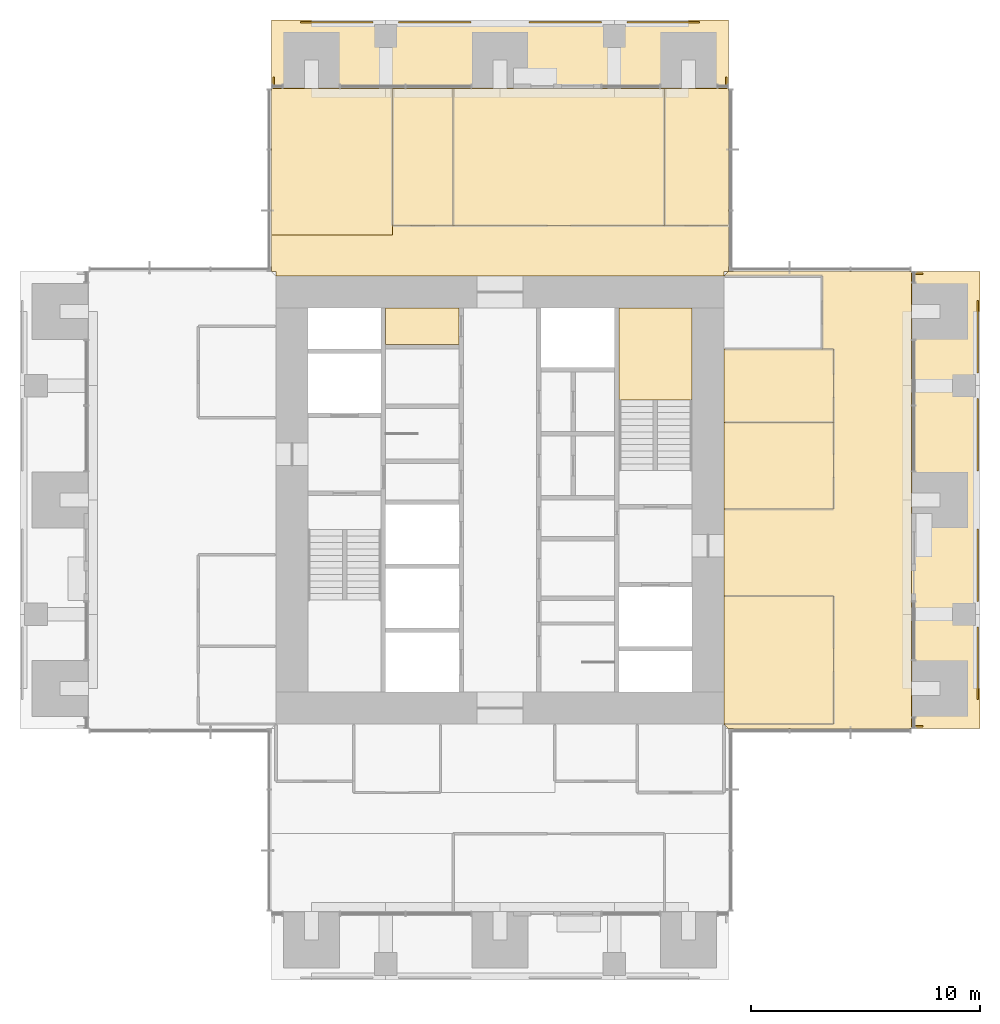
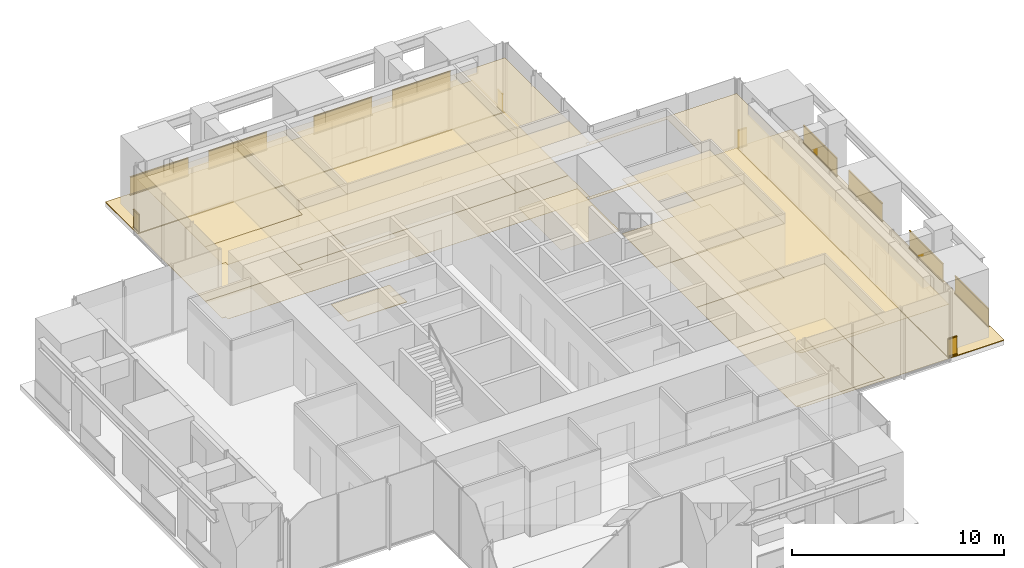
# One storey, part 16 of 17: 22 coverings, 12 railings.
"""IFC4 building model written with IfcOpenShell, lengths in metres."""

from ifc_helpers import new_model, si_unit, direction, frame, origin, origin_2d, place, context, subcontext, project, spatial, polyline, rectangle, outline, extrude, material, layer, layer_set, type_object, element, save


model = new_model("IFC4")

# Units and contexts
model_context = context("Model", 3, precision=1e-05, world=origin(), true_north=direction((0.0, 1.0)))
body_context = subcontext(model_context, "Body", "Model", "MODEL_VIEW")
ifc_project = project(units=[si_unit("LENGTHUNIT", "METRE"), si_unit("AREAUNIT", "SQUARE_METRE"), si_unit("VOLUMEUNIT", "CUBIC_METRE"), si_unit("PLANEANGLEUNIT", "RADIAN"), si_unit("MASSUNIT", "GRAM", prefix="KILO")], contexts=[model_context])

# Site, building, storey
site_placement = place(None, origin())
site = spatial("IfcSite", under=ifc_project, at=site_placement, CompositionType="ELEMENT")
building_placement = place(site_placement, origin())
building = spatial("IfcBuilding", under=site, at=building_placement, Name="Svetlomir Tower", CompositionType="ELEMENT")
storey_placement = place(building_placement, frame((0.0, 0.0, 194.5)))
storey = spatial("IfcBuildingStorey", under=building, at=storey_placement, Name="L46", CompositionType="ELEMENT", Elevation=194.5)

# Railings
ifc_material_1 = material(Name="Bronze anodised aluminium and laminated glass", Category="aluminium")
railing_type = type_object("IfcRailingType", Name="BALCONY GUARD GR1 1100", PredefinedType="GUARDRAIL", material=ifc_material_1)
for number, where, name in (
    (1, (41.89990234375, 12.27490234375, 0.0), "Loggia guard E L46 bay 1"),
    (2, (41.89990234375, 16.550048828125, 0.0), "Loggia guard E L46 bay 2"),
    (3, (41.89990234375, 22.27490234375, 0.0), "Loggia guard E L46 bay 3"),
    (4, (41.89990234375, 26.550048828125, 0.0), "Loggia guard E L46 bay 4"),
):
    element("IfcRailing", number, at=place(storey_placement, frame(where)), inside=storey, type_object=railing_type, Name=name, PredefinedType="GUARDRAIL", context=body_context, shape_type="SweptSolid", body=[
        extrude(rectangle(XDim=0.06005859375, YDim=0.10009765625, at=origin_2d()), frame((0.0, 0.0, 0.050048828125), z_axis=(0.0, 1.0, 0.0), x_axis=(-1.0, 0.0, 0.0)), (0.0, 0.0, 1.0), 3.175048828125),
        extrude(rectangle(XDim=0.021484375, YDim=0.960205078125, at=origin_2d()), frame((0.0, 0.0, 0.580078125), z_axis=(0.0, 1.0, 0.0), x_axis=(-1.0, 0.0, 0.0)), (0.0, 0.0, 1.0), 3.175048828125),
        extrude(rectangle(XDim=0.06005859375, YDim=0.0400390625, at=origin_2d()), frame((0.0, 0.0, 1.080078125), z_axis=(0.0, 1.0, 0.0), x_axis=(-1.0, 0.0, 0.0)), (0.0, 0.0, 1.0), 3.175048828125),
    ])
for number, where, name in (
    (5, (39.5, 11.10009765625, 0.0), "Loggia guard E L46 end 1"),
    (6, (39.5, 30.89990234375, 0.0), "Loggia guard E L46 end 2"),
):
    element("IfcRailing", number, at=place(storey_placement, frame(where)), inside=storey, type_object=railing_type, Name=name, PredefinedType="GUARDRAIL", context=body_context, shape_type="SweptSolid", body=[
        extrude(rectangle(XDim=0.06005859375, YDim=0.10009765625, at=origin_2d()), frame((0.0, 0.0, 0.050048828125), z_axis=(-1.0, 0.0, 0.0), x_axis=(0.0, -1.0, 0.0)), (0.0, 0.0, 1.0), 0.5),
        extrude(rectangle(XDim=0.021484375, YDim=0.960205078125, at=origin_2d()), frame((0.0, 0.0, 0.580078125), z_axis=(-1.0, 0.0, 0.0), x_axis=(0.0, -1.0, 0.0)), (0.0, 0.0, 1.0), 0.5),
        extrude(rectangle(XDim=0.06005859375, YDim=0.0400390625, at=origin_2d()), frame((0.0, 0.0, 1.080078125), z_axis=(-1.0, 0.0, 0.0), x_axis=(0.0, -1.0, 0.0)), (0.0, 0.0, 1.0), 0.5),
    ])
for number, where, name in (
    (7, (12.27490234375, 41.89990234375, 0.0), "Loggia guard N L46 bay 1"),
    (8, (16.550048828125, 41.89990234375, 0.0), "Loggia guard N L46 bay 2"),
    (9, (22.27490234375, 41.89990234375, 0.0), "Loggia guard N L46 bay 3"),
    (10, (26.550048828125, 41.89990234375, 0.0), "Loggia guard N L46 bay 4"),
):
    element("IfcRailing", number, at=place(storey_placement, frame(where)), inside=storey, type_object=railing_type, Name=name, PredefinedType="GUARDRAIL", context=body_context, shape_type="SweptSolid", body=[
        extrude(rectangle(XDim=0.06005859375, YDim=0.10009765625, at=origin_2d()), frame((0.0, 0.0, 0.050048828125), z_axis=(1.0, 0.0, 0.0), x_axis=(0.0, 1.0, 0.0)), (0.0, 0.0, 1.0), 3.175048828125),
        extrude(rectangle(XDim=0.021484375, YDim=0.960205078125, at=origin_2d()), frame((0.0, 0.0, 0.580078125), z_axis=(1.0, 0.0, 0.0), x_axis=(0.0, 1.0, 0.0)), (0.0, 0.0, 1.0), 3.175048828125),
        extrude(rectangle(XDim=0.06005859375, YDim=0.0400390625, at=origin_2d()), frame((0.0, 0.0, 1.080078125), z_axis=(1.0, 0.0, 0.0), x_axis=(0.0, 1.0, 0.0)), (0.0, 0.0, 1.0), 3.175048828125),
    ])
for number, where, name in (
    (11, (11.10009765625, 39.5, 0.0), "Loggia guard N L46 end 1"),
    (12, (30.89990234375, 39.5, 0.0), "Loggia guard N L46 end 2"),
):
    element("IfcRailing", number, at=place(storey_placement, frame(where)), inside=storey, type_object=railing_type, Name=name, PredefinedType="GUARDRAIL", context=body_context, shape_type="SweptSolid", body=[
        extrude(rectangle(XDim=0.06005859375, YDim=0.10009765625, at=origin_2d()), frame((0.0, 0.0, 0.050048828125), z_axis=(0.0, -1.0, 0.0), x_axis=(1.0, 0.0, 0.0)), (0.0, 0.0, 1.0), 0.5),
        extrude(rectangle(XDim=0.021484375, YDim=0.960205078125, at=origin_2d()), frame((0.0, 0.0, 0.580078125), z_axis=(0.0, -1.0, 0.0), x_axis=(1.0, 0.0, 0.0)), (0.0, 0.0, 1.0), 0.5),
        extrude(rectangle(XDim=0.06005859375, YDim=0.0400390625, at=origin_2d()), frame((0.0, 0.0, 1.080078125), z_axis=(0.0, -1.0, 0.0), x_axis=(1.0, 0.0, 0.0)), (0.0, 0.0, 1.0), 0.5),
    ])

# Coverings
ifc_material_2 = material(Name="Granite paving slabs on pedestals", Category="masonry")
ifc_layer_1 = layer(ifc_material_2, 0.0400390625)
ifc_layer_set_1 = layer_set([ifc_layer_1], Name="Granite paving slabs on pedestals")
covering_type_1 = type_object("IfcCoveringType", Name="BALCONY PAVING 40", PredefinedType="USERDEFINED", material=ifc_layer_set_1)
covering_1_placement = place(storey_placement, origin())
element("IfcCovering", 13, at=covering_1_placement, inside=storey, type_object=covering_type_1, Name="Loggia paving E L46", ObjectType="BALCONY PAVING", PredefinedType="USERDEFINED", context=body_context, shape_type="SweptSolid", body=[
    extrude(outline(polyline([(39.0, 11.0), (42.0, 11.0), (42.0, 31.0), (39.0, 31.0), (39.0, 11.0)])), origin(), (0.0, 0.0, 1.0), 0.0400390625),
])
covering_2_placement = place(storey_placement, origin())
element("IfcCovering", 14, at=covering_2_placement, inside=storey, type_object=covering_type_1, Name="Loggia paving N L46", ObjectType="BALCONY PAVING", PredefinedType="USERDEFINED", context=body_context, shape_type="SweptSolid", body=[
    extrude(outline(polyline([(11.0, 39.0), (31.0, 39.0), (31.0, 42.0), (11.0, 42.0), (11.0, 39.0)])), origin(), (0.0, 0.0, 1.0), 0.0400390625),
])
ifc_material_3 = material(Name="Carpet tile", Category="textile")
ifc_layer_2 = layer(ifc_material_3, 0.010009765625)
ifc_layer_set_2 = layer_set([ifc_layer_2], Name="Carpet tile")
covering_type_2 = type_object("IfcCoveringType", Name="CARPET TILE FLOOR 10", PredefinedType="FLOORING", material=ifc_layer_set_2)
covering_3_placement = place(storey_placement, origin())
element("IfcCovering", 15, at=covering_3_placement, inside=storey, type_object=covering_type_2, Name="Floor finish L46-23", PredefinedType="FLOORING", context=body_context, shape_type="SweptSolid", body=[
    extrude(outline(polyline([(30.800048828125, 11.199951171875), (35.60009765625, 11.199951171875), (35.60009765625, 16.800048828125), (30.800048828125, 16.800048828125), (30.800048828125, 11.199951171875)])), origin(), (0.0, 0.0, 1.0), 0.010009765625),
])
covering_4_placement = place(storey_placement, origin())
element("IfcCovering", 16, at=covering_4_placement, inside=storey, type_object=covering_type_2, Name="Floor finish L46-24", PredefinedType="FLOORING", context=body_context, shape_type="SweptSolid", body=[
    extrude(outline(polyline([(30.800048828125, 20.60009765625), (35.60009765625, 20.60009765625), (35.60009765625, 24.39990234375), (30.800048828125, 24.39990234375), (30.800048828125, 20.60009765625)])), origin(), (0.0, 0.0, 1.0), 0.010009765625),
])
covering_5_placement = place(storey_placement, origin())
element("IfcCovering", 17, at=covering_5_placement, inside=storey, type_object=covering_type_2, Name="Floor finish L46-25", PredefinedType="FLOORING", context=body_context, shape_type="SweptSolid", body=[
    extrude(outline(polyline([(30.800048828125, 24.39990234375), (35.60009765625, 24.39990234375), (35.60009765625, 27.60009765625), (30.800048828125, 27.60009765625), (30.800048828125, 24.39990234375)])), origin(), (0.0, 0.0, 1.0), 0.010009765625),
])
covering_6_placement = place(storey_placement, origin())
element("IfcCovering", 18, at=covering_6_placement, inside=storey, type_object=covering_type_2, Name="Floor finish L46-27", PredefinedType="FLOORING", context=body_context, shape_type="SweptSolid", body=[
    extrude(outline(polyline([(16.300048828125, 33.0), (18.949951171875, 33.0), (18.949951171875, 39.0), (16.300048828125, 39.0), (16.300048828125, 33.0)])), origin(), (0.0, 0.0, 1.0), 0.010009765625),
])
covering_7_placement = place(storey_placement, origin())
element("IfcCovering", 19, at=covering_7_placement, inside=storey, type_object=covering_type_2, Name="Floor finish L46-28", PredefinedType="FLOORING", context=body_context, shape_type="SweptSolid", body=[
    extrude(outline(polyline([(18.949951171875, 33.0), (28.199951171875, 33.0), (28.199951171875, 39.0), (18.949951171875, 39.0), (18.949951171875, 33.0)])), origin(), (0.0, 0.0, 1.0), 0.010009765625),
])
covering_8_placement = place(storey_placement, origin())
element("IfcCovering", 20, at=covering_8_placement, inside=storey, type_object=covering_type_2, Name="Floor finish L46-29", PredefinedType="FLOORING", context=body_context, shape_type="SweptSolid", body=[
    extrude(outline(polyline([(28.199951171875, 33.0), (31.0, 33.0), (31.0, 39.0), (28.199951171875, 39.0), (28.199951171875, 33.0)])), origin(), (0.0, 0.0, 1.0), 0.010009765625),
])
covering_9_placement = place(storey_placement, origin())
element("IfcCovering", 21, at=covering_9_placement, inside=storey, type_object=covering_type_2, Name="Floor finish L46-34", PredefinedType="FLOORING", context=body_context, shape_type="SweptSolid", body=[
    extrude(outline(polyline([(11.199951171875, 30.800048828125), (11.199951171875, 31.0), (11.0, 31.0), (11.0, 32.60009765625), (16.300048828125, 32.60009765625), (16.300048828125, 33.0), (31.0, 33.0), (31.0, 31.0), (30.800048828125, 31.0), (30.800048828125, 30.800048828125), (11.199951171875, 30.800048828125)])), origin(), (0.0, 0.0, 1.0), 0.010009765625),
])
covering_10_placement = place(storey_placement, origin())
element("IfcCovering", 22, at=covering_10_placement, inside=storey, type_object=covering_type_2, Name="Floor finish L46-38", PredefinedType="FLOORING", context=body_context, shape_type="SweptSolid", body=[
    extrude(outline(polyline([(30.800048828125, 30.800048828125), (31.0, 31.0), (39.0, 31.0), (39.0, 11.0), (31.0, 11.0), (30.800048828125, 11.199951171875), (35.60009765625, 11.199951171875), (35.60009765625, 16.800048828125), (30.800048828125, 16.800048828125), (30.800048828125, 20.60009765625), (35.60009765625, 20.60009765625), (35.60009765625, 27.60009765625), (35.10009765625, 27.60009765625), (35.10009765625, 30.800048828125), (30.800048828125, 30.800048828125)])), origin(), (0.0, 0.0, 1.0), 0.010009765625),
])
covering_11_placement = place(storey_placement, origin())
element("IfcCovering", 23, at=covering_11_placement, inside=storey, type_object=covering_type_2, Name="Floor finish L46-39", PredefinedType="FLOORING", context=body_context, shape_type="SweptSolid", body=[
    extrude(outline(polyline([(16.300048828125, 39.0), (16.300048828125, 32.60009765625), (11.0, 32.60009765625), (11.0, 39.0), (16.300048828125, 39.0)])), origin(), (0.0, 0.0, 1.0), 0.010009765625),
])
ifc_material_4 = material(Name="Studded rubber floor finish", Category="rubber")
ifc_layer_3 = layer(ifc_material_4, 0.006103515625)
ifc_layer_set_3 = layer_set([ifc_layer_3], Name="Studded rubber floor finish")
covering_type_3 = type_object("IfcCoveringType", Name="RUBBER LANDING FINISH 6", PredefinedType="FLOORING", material=ifc_layer_set_3)
covering_12_placement = place(storey_placement, frame((0.0, 0.0, 2.0)))
element("IfcCovering", 24, at=covering_12_placement, inside=storey, type_object=covering_type_3, Name="Stair S2 landing finish L46", PredefinedType="FLOORING", context=body_context, shape_type="SweptSolid", body=[
    extrude(outline(polyline([(26.199951171875, 25.3798828125), (29.39990234375, 25.3798828125), (29.39990234375, 29.39990234375), (26.199951171875, 29.39990234375), (26.199951171875, 25.3798828125)])), origin(), (0.0, 0.0, 1.0), 0.006103515625),
])
ifc_material_5 = material(Name="Mineral fibre ceiling tile", Category="mineral")
ifc_layer_4 = layer(ifc_material_5, 0.02001953125)
ifc_layer_set_4 = layer_set([ifc_layer_4], Name="Mineral fibre ceiling tile")
covering_type_4 = type_object("IfcCoveringType", Name="SUSPENDED CEILING 20", PredefinedType="CEILING", material=ifc_layer_set_4)
covering_13_placement = place(storey_placement, frame((0.0, 0.0, 3.1298828125)))
element("IfcCovering", 25, at=covering_13_placement, inside=storey, type_object=covering_type_4, Name="Ceiling L46-23", PredefinedType="CEILING", context=body_context, shape_type="SweptSolid", body=[
    extrude(outline(polyline([(30.800048828125, 11.199951171875), (35.60009765625, 11.199951171875), (35.60009765625, 16.800048828125), (30.800048828125, 16.800048828125), (30.800048828125, 11.199951171875)])), origin(), (0.0, 0.0, 1.0), 0.02001953125),
])
covering_14_placement = place(storey_placement, frame((0.0, 0.0, 3.1298828125)))
element("IfcCovering", 26, at=covering_14_placement, inside=storey, type_object=covering_type_4, Name="Ceiling L46-24", PredefinedType="CEILING", context=body_context, shape_type="SweptSolid", body=[
    extrude(outline(polyline([(30.800048828125, 20.60009765625), (35.60009765625, 20.60009765625), (35.60009765625, 24.39990234375), (30.800048828125, 24.39990234375), (30.800048828125, 20.60009765625)])), origin(), (0.0, 0.0, 1.0), 0.02001953125),
])
covering_15_placement = place(storey_placement, frame((0.0, 0.0, 3.1298828125)))
element("IfcCovering", 27, at=covering_15_placement, inside=storey, type_object=covering_type_4, Name="Ceiling L46-25", PredefinedType="CEILING", context=body_context, shape_type="SweptSolid", body=[
    extrude(outline(polyline([(30.800048828125, 24.39990234375), (35.60009765625, 24.39990234375), (35.60009765625, 27.60009765625), (30.800048828125, 27.60009765625), (30.800048828125, 24.39990234375)])), origin(), (0.0, 0.0, 1.0), 0.02001953125),
])
covering_16_placement = place(storey_placement, frame((0.0, 0.0, 3.1298828125)))
element("IfcCovering", 28, at=covering_16_placement, inside=storey, type_object=covering_type_4, Name="Ceiling L46-27", PredefinedType="CEILING", context=body_context, shape_type="SweptSolid", body=[
    extrude(outline(polyline([(16.300048828125, 33.0), (18.949951171875, 33.0), (18.949951171875, 39.0), (16.300048828125, 39.0), (16.300048828125, 33.0)])), origin(), (0.0, 0.0, 1.0), 0.02001953125),
])
covering_17_placement = place(storey_placement, frame((0.0, 0.0, 3.1298828125)))
element("IfcCovering", 29, at=covering_17_placement, inside=storey, type_object=covering_type_4, Name="Ceiling L46-28", PredefinedType="CEILING", context=body_context, shape_type="SweptSolid", body=[
    extrude(outline(polyline([(18.949951171875, 33.0), (28.199951171875, 33.0), (28.199951171875, 39.0), (18.949951171875, 39.0), (18.949951171875, 33.0)])), origin(), (0.0, 0.0, 1.0), 0.02001953125),
])
covering_18_placement = place(storey_placement, frame((0.0, 0.0, 3.1298828125)))
element("IfcCovering", 30, at=covering_18_placement, inside=storey, type_object=covering_type_4, Name="Ceiling L46-29", PredefinedType="CEILING", context=body_context, shape_type="SweptSolid", body=[
    extrude(outline(polyline([(28.199951171875, 33.0), (31.0, 33.0), (31.0, 39.0), (28.199951171875, 39.0), (28.199951171875, 33.0)])), origin(), (0.0, 0.0, 1.0), 0.02001953125),
])
covering_19_placement = place(storey_placement, frame((0.0, 0.0, 3.1298828125)))
element("IfcCovering", 31, at=covering_19_placement, inside=storey, type_object=covering_type_4, Name="Ceiling L46-34", PredefinedType="CEILING", context=body_context, shape_type="SweptSolid", body=[
    extrude(outline(polyline([(11.199951171875, 30.800048828125), (11.199951171875, 31.0), (11.0, 31.0), (11.0, 32.60009765625), (16.300048828125, 32.60009765625), (16.300048828125, 33.0), (31.0, 33.0), (31.0, 31.0), (30.800048828125, 31.0), (30.800048828125, 30.800048828125), (11.199951171875, 30.800048828125)])), origin(), (0.0, 0.0, 1.0), 0.02001953125),
])
covering_20_placement = place(storey_placement, frame((0.0, 0.0, 3.1298828125)))
element("IfcCovering", 32, at=covering_20_placement, inside=storey, type_object=covering_type_4, Name="Ceiling L46-38", PredefinedType="CEILING", context=body_context, shape_type="SweptSolid", body=[
    extrude(outline(polyline([(30.800048828125, 30.800048828125), (31.0, 31.0), (39.0, 31.0), (39.0, 11.0), (31.0, 11.0), (30.800048828125, 11.199951171875), (35.60009765625, 11.199951171875), (35.60009765625, 16.800048828125), (30.800048828125, 16.800048828125), (30.800048828125, 20.60009765625), (35.60009765625, 20.60009765625), (35.60009765625, 27.60009765625), (35.10009765625, 27.60009765625), (35.10009765625, 30.800048828125), (30.800048828125, 30.800048828125)])), origin(), (0.0, 0.0, 1.0), 0.02001953125),
])
covering_21_placement = place(storey_placement, frame((0.0, 0.0, 3.1298828125)))
element("IfcCovering", 33, at=covering_21_placement, inside=storey, type_object=covering_type_4, Name="Ceiling L46-39", PredefinedType="CEILING", context=body_context, shape_type="SweptSolid", body=[
    extrude(outline(polyline([(16.300048828125, 39.0), (16.300048828125, 32.60009765625), (11.0, 32.60009765625), (11.0, 39.0), (16.300048828125, 39.0)])), origin(), (0.0, 0.0, 1.0), 0.02001953125),
])
ifc_material_6 = material(Name="Bronze-aggregate terrazzo", Category="stone")
ifc_layer_5 = layer(ifc_material_6, 0.030029296875)
ifc_layer_set_5 = layer_set([ifc_layer_5], Name="Bronze-aggregate terrazzo")
covering_type_5 = type_object("IfcCoveringType", Name="TERRAZZO FLOOR 30", PredefinedType="FLOORING", material=ifc_layer_set_5)
covering_22_placement = place(storey_placement, origin())
element("IfcCovering", 34, at=covering_22_placement, inside=storey, type_object=covering_type_5, Name="Floor finish L46-06", PredefinedType="FLOORING", context=body_context, shape_type="SweptSolid", body=[
    extrude(outline(polyline([(16.0, 27.800048828125), (19.199951171875, 27.800048828125), (19.199951171875, 29.39990234375), (16.0, 29.39990234375), (16.0, 27.800048828125)])), origin(), (0.0, 0.0, 1.0), 0.030029296875),
])

save(model, "model.ifc")
